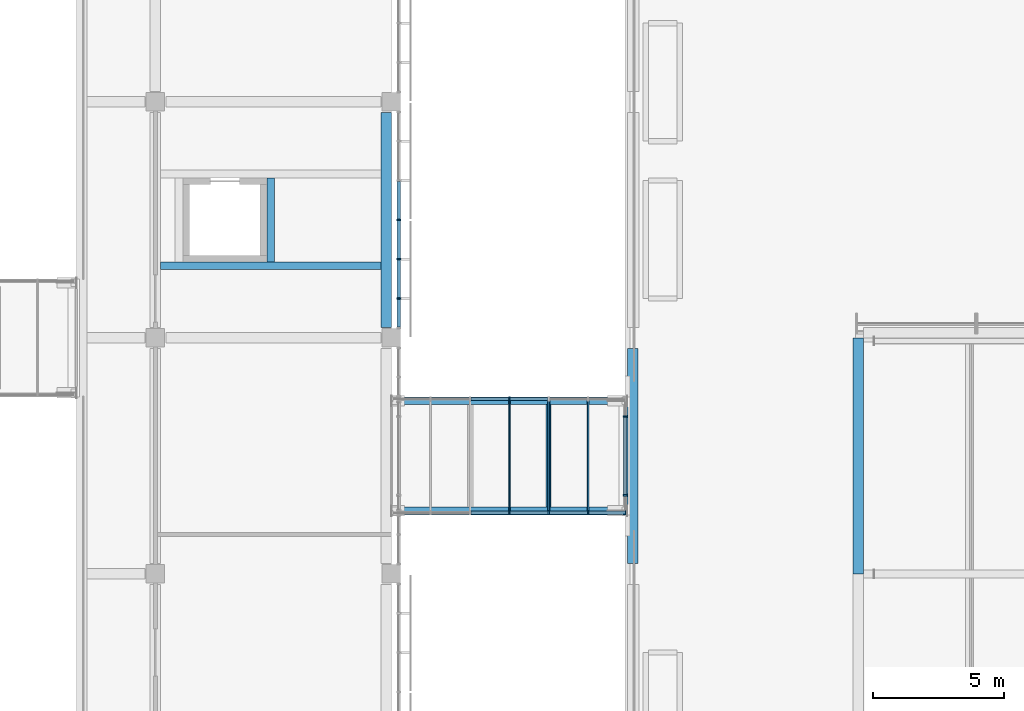
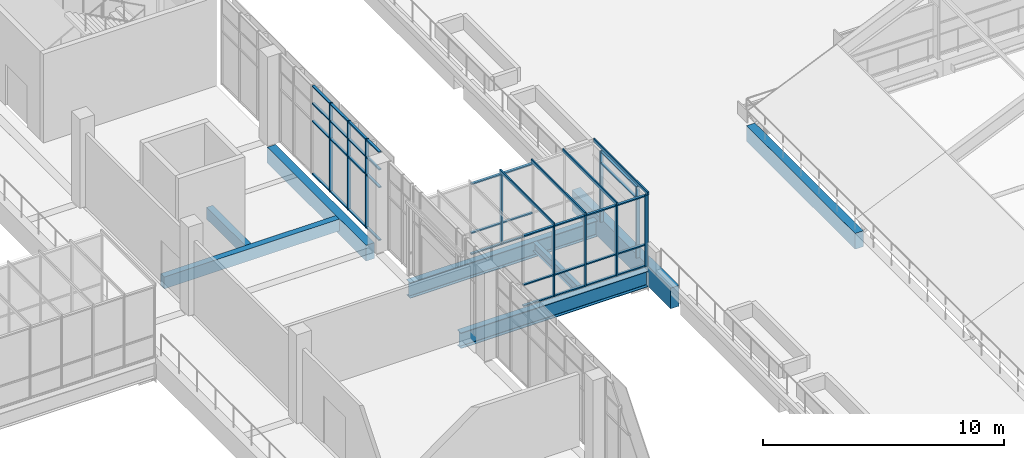
# One storey, part 26 of 106: 51 members, 8 beams, 5 elements without a shape of their own.
"""IFC4 building model written with IfcOpenShell, lengths in metres."""

import ifcopenshell
import ifcopenshell.guid

model = None  # the IFC model being written
_history = None  # IfcOwnerHistory: only IFC2X3 demands one
_inside = {}  # id of a spatial element -> (the spatial element, [elements in it])
_under = {}  # id of a project, library or spatial element -> (it, [spatial elements below it])
_declared = {}  # id of a project -> (the project, [libraries it declares])
_typed = {}  # id of a type object -> (the type object, [elements of that type])
_made_of = {}  # id of a material, layer set ... -> (it, [elements and type objects made of it])


def new_model(schema):
    """Start an empty IFC model of exactly this schema.

    Asked for "IFC4X3", IfcOpenShell would pick the latest addendum, in which some entities
    have other attributes; the version numbers below select the first issue.
    IFC2X3 requires an IfcOwnerHistory on every rooted entity: one is made here for all.
    """
    global model, _history
    if schema == "IFC4X3":
        model = ifcopenshell.file(schema_version=(4, 3, 0, 0))
    else:
        model = ifcopenshell.file(schema=schema)
    _inside.clear()
    _under.clear()
    _declared.clear()
    _typed.clear()
    _made_of.clear()
    _history = None
    if model.schema == "IFC2X3":
        org = make("IfcOrganization", Name="unknown")
        user = make(
            "IfcPersonAndOrganization",
            ThePerson=make("IfcPerson", FamilyName="unknown"),
            TheOrganization=org,
        )
        app = make(
            "IfcApplication",
            ApplicationDeveloper=org,
            Version="unknown",
            ApplicationFullName="unknown",
            ApplicationIdentifier="unknown",
        )
        _history = make(
            "IfcOwnerHistory",
            OwningUser=user,
            OwningApplication=app,
            ChangeAction="ADDED",
            CreationDate=0,
        )
    return model


def make(cls, **values):
    """One entity of the class cls with the attributes given. An attribute that is None is left unset."""
    return model.create_entity(
        cls, **{name: value for name, value in values.items() if value is not None}
    )


def rooted(cls, **values):
    """An entity with a GlobalId (a new one), such as an element, a storey or a relation."""
    return make(cls, GlobalId=ifcopenshell.guid.new(), OwnerHistory=_history, **values)


def si_unit(unit_type, name, prefix=None):
    """IfcSIUnit, for example si_unit("LENGTHUNIT", "METRE", prefix="MILLI")."""
    return make("IfcSIUnit", UnitType=unit_type, Prefix=prefix, Name=name)


def assignment(units):
    """IfcUnitAssignment: the units of a project."""
    return None if units is None else make("IfcUnitAssignment", Units=units)


def point(xyz):
    """IfcCartesianPoint."""
    return None if xyz is None else make("IfcCartesianPoint", Coordinates=xyz)


def direction(xyz):
    """IfcDirection."""
    return None if xyz is None else make("IfcDirection", DirectionRatios=xyz)


def frame(location, z_axis=None, x_axis=None):
    """IfcAxis2Placement3D, a coordinate frame: its origin and axes. An axis left out is left unset."""
    return make(
        "IfcAxis2Placement3D",
        Location=point(location),
        Axis=direction(z_axis),
        RefDirection=direction(x_axis),
    )


def frame_2d(location, x_axis=None):
    """IfcAxis2Placement2D, a coordinate frame in the plane: its origin and x axis."""
    return make(
        "IfcAxis2Placement2D", Location=point(location), RefDirection=direction(x_axis)
    )


def origin():
    """The frame at (0, 0, 0) with its axes left unset."""
    return frame((0.0, 0.0, 0.0))


def origin_2d():
    """The frame at (0, 0) in the plane with its x axis left unset."""
    return frame_2d((0.0, 0.0))


def place(relative_to, where):
    """IfcLocalPlacement: puts the frame where relative to a parent placement (None: the world)."""
    return make(
        "IfcLocalPlacement", PlacementRelTo=relative_to, RelativePlacement=where
    )


def context(
    kind, dimensions, precision=None, world=None, true_north=None, identifier=None
):
    """IfcGeometricRepresentationContext, for example the 3D "Model" context."""
    return make(
        "IfcGeometricRepresentationContext",
        ContextIdentifier=identifier,
        ContextType=kind,
        CoordinateSpaceDimension=dimensions,
        Precision=precision,
        WorldCoordinateSystem=world,
        TrueNorth=true_north,
    )


def subcontext(parent, identifier, kind, view, scale=None):
    """IfcGeometricRepresentationSubContext, for example "Body" below "Model"."""
    return make(
        "IfcGeometricRepresentationSubContext",
        ContextIdentifier=identifier,
        ContextType=kind,
        ParentContext=parent,
        TargetScale=scale,
        TargetView=view,
    )


def project(units=None, contexts=None):
    """IfcProject with its units and contexts."""
    return rooted(
        "IfcProject",
        Name="project",
        RepresentationContexts=contexts,
        UnitsInContext=assignment(units),
    )


def spatial(cls, under=None, at=None, **own):
    """A site, building, storey or space (cls), placed at a placement, below another one or the project."""
    s = rooted(cls, ObjectPlacement=at, **own)
    if under is not None:
        _under.setdefault(under.id(), (under, []))[1].append(s)
    return s


def profile(cls, at=None, kind="AREA", **sizes):
    """A parametric profile (cls). Its sizes go by their IFC names, for example OverallWidth=200.0."""
    return make(cls, ProfileType=kind, Position=at, **sizes)


def rectangle(**sizes):
    """IfcRectangleProfileDef."""
    return profile("IfcRectangleProfileDef", **sizes)


def i_section(**sizes):
    """IfcIShapeProfileDef."""
    return profile("IfcIShapeProfileDef", **sizes)


def extrude(swept, where, along, depth):
    """IfcExtrudedAreaSolid: the profile swept, set in the frame where, extruded along a direction by depth."""
    return make(
        "IfcExtrudedAreaSolid",
        SweptArea=swept,
        Position=where,
        ExtrudedDirection=direction(along),
        Depth=depth,
    )


def shape(context_of_items, identifier, shape_type, items):
    """IfcShapeRepresentation: the items that make up one representation, for example the "Body"."""
    return make(
        "IfcShapeRepresentation",
        ContextOfItems=context_of_items,
        RepresentationIdentifier=identifier,
        RepresentationType=shape_type,
        Items=items,
    )


def material(Name=None, Category=None):
    """IfcMaterial."""
    return make("IfcMaterial", Name=Name, Category=Category)


def layer(
    of_material, thickness, ventilated=None, Name=None, Category=None, Priority=None
):
    """IfcMaterialLayer: one layer of a wall or slab, of a material (None: an air gap)."""
    return make(
        "IfcMaterialLayer",
        Material=of_material,
        LayerThickness=thickness,
        IsVentilated=ventilated,
        Name=Name,
        Category=Category,
        Priority=Priority,
    )


def layer_set(layers, Name=None):
    """IfcMaterialLayerSet."""
    return make("IfcMaterialLayerSet", MaterialLayers=layers, LayerSetName=Name)


def material_profile(
    of_material, cross_section, Name=None, Category=None, Priority=None
):
    """IfcMaterialProfile: a cross section and its material."""
    return make(
        "IfcMaterialProfile",
        Name=Name,
        Material=of_material,
        Profile=cross_section,
        Priority=Priority,
        Category=Category,
    )


def profile_set(profiles, Name=None, composite=None):
    """IfcMaterialProfileSet."""
    return make(
        "IfcMaterialProfileSet",
        Name=Name,
        MaterialProfiles=profiles,
        CompositeProfile=composite,
    )


def made_of(thing, what):
    """Note that an element or type object is made of a material, layer set ...; save() writes the relation."""
    if what is not None:
        _made_of.setdefault(what.id(), (what, []))[1].append(thing)
    return thing


def type_object(cls, material=None, **own):
    """A type object (cls), such as IfcWallType, which elements share."""
    return made_of(rooted(cls, **own), material)


def element(
    cls,
    number,
    at=None,
    inside=None,
    cuts=None,
    type_object=None,
    material=None,
    context=None,
    identifier="Body",
    shape_type=None,
    held_by="IfcProductDefinitionShape",
    body=None,
    shapes=None,
    **own,
):
    """One element of the class cls, such as IfcWall. Its Tag is "e" and its number.

    at: its placement. inside: the storey or other place that contains it. cuts: it is an
    opening in that element (IfcRelVoidsElement). A single representation is given by context,
    identifier, shape_type and body (its items); several are given by shapes. held_by: the class
    of the entity that holds the representations. save() writes the other relations.
    """
    e = rooted(cls, Tag="e%d" % number, ObjectPlacement=at, **own)
    if body is not None:
        shapes = [shape(context, identifier, shape_type, body)]
    if shapes is not None:
        e.Representation = make(held_by, Representations=shapes)
    if inside is not None:
        _inside.setdefault(inside.id(), (inside, []))[1].append(e)
    if cuts is not None:
        rooted(
            "IfcRelVoidsElement", RelatingBuildingElement=cuts, RelatedOpeningElement=e
        )
    if type_object is not None:
        _typed.setdefault(type_object.id(), (type_object, []))[1].append(e)
    return made_of(e, material)


def aggregate(whole, parts):
    """IfcRelAggregates: a whole, such as a stair, and the parts it consists of."""
    return rooted("IfcRelAggregates", RelatingObject=whole, RelatedObjects=parts)


def save(model, path):
    """Write the relations noted so far, then the file.

    IfcRelAggregates (storeys below a building ...), IfcRelContainedInSpatialStructure (elements
    in a storey), IfcRelDefinesByType, IfcRelAssociatesMaterial and IfcRelDeclares: one each for
    every whole, place, type object, material and project.
    """
    for whole, parts in _under.values():
        aggregate(whole, parts)
    for where, things in _inside.values():
        rooted(
            "IfcRelContainedInSpatialStructure",
            RelatedElements=things,
            RelatingStructure=where,
        )
    for kind, things in _typed.values():
        rooted("IfcRelDefinesByType", RelatedObjects=things, RelatingType=kind)
    for what, things in _made_of.values():
        rooted("IfcRelAssociatesMaterial", RelatedObjects=things, RelatingMaterial=what)
    for by, libraries in _declared.values():
        rooted("IfcRelDeclares", RelatingContext=by, RelatedDefinitions=libraries)
    model.write(path)


model = new_model("IFC4")

# Units and contexts
model_context = context("Model", 3, precision=1e-05, world=origin(), true_north=direction((0.0, 1.0)))
body_context = subcontext(model_context, "Body", "Model", "MODEL_VIEW")
ifc_project = project(units=[si_unit("LENGTHUNIT", "METRE"), si_unit("AREAUNIT", "SQUARE_METRE"), si_unit("VOLUMEUNIT", "CUBIC_METRE"), si_unit("PLANEANGLEUNIT", "RADIAN"), si_unit("MASSUNIT", "GRAM", prefix="KILO")], contexts=[model_context])

# Site, building, storey
site_placement = place(None, origin())
site = spatial("IfcSite", under=ifc_project, at=site_placement, CompositionType="ELEMENT")
building_placement = place(site_placement, origin())
building = spatial("IfcBuilding", under=site, at=building_placement, Name="Guidao Yard Department Store", CompositionType="ELEMENT")
storey_placement = place(building_placement, frame((0.0, 0.0, 10.5)))
storey = spatial("IfcBuildingStorey", under=building, at=storey_placement, Name="L02", CompositionType="ELEMENT", Elevation=10.5)

# Beams
ifc_material_1 = material(Name="Concrete C40", Category="concrete")
ifc_material_profile_1 = material_profile(ifc_material_1, rectangle(XDim=0.39990234375, YDim=1.050048828125, at=origin_2d()), Name="Bridge landing beam 400 x 1050 C40")
ifc_profile_set_1 = profile_set([ifc_material_profile_1], Name="Concrete C40")
beam_type_1 = type_object("IfcBeamType", Name="Bridge landing beam 400 x 1050 C40", PredefinedType="BEAM", material=ifc_profile_set_1)
beam_1_placement = place(storey_placement, frame((117.199951171875, 81.39990234375, -0.52490234375), z_axis=(0.0, 1.0, 0.0), x_axis=(-1.0, 0.0, 0.0)))
element("IfcBeam", 1, at=beam_1_placement, inside=storey, type_object=beam_type_1, Name="Beam LB12", PredefinedType="BEAM", context=body_context, shape_type="SweptSolid", body=[
    extrude(rectangle(XDim=0.39990234375, YDim=1.050048828125, at=origin_2d()), origin(), (0.0, 0.0, 1.0), 8.2001953125),
])
ifc_material_2 = material(Name="Steel Q355B", Category="steel")
ifc_material_profile_2 = material_profile(ifc_material_2, i_section(OverallWidth=0.199951171875, OverallDepth=0.449951171875, WebThickness=0.009033203125, FlangeThickness=0.013916015625, FilletRadius=0.012939453125, at=origin_2d()), Name="HN 450x200x9x14")
ifc_profile_set_2 = profile_set([ifc_material_profile_2], Name="Steel Q355B")
beam_type_2 = type_object("IfcBeamType", Name="HN 450x200x9x14", PredefinedType="BEAM", material=ifc_profile_set_2)
beam_2_placement = place(storey_placement, frame((113.9951171875, 83.550048828125, -0.47509765625), z_axis=(0.0, 1.0, 0.0), x_axis=(-1.0, 0.0, 0.0)))
element("IfcBeam", 2, at=beam_2_placement, inside=storey, type_object=beam_type_2, Name="Bridge cross beam BR08-2", PredefinedType="BEAM", context=body_context, shape_type="SweptSolid", body=[
    extrude(i_section(OverallWidth=0.199951171875, OverallDepth=0.449951171875, WebThickness=0.009033203125, FlangeThickness=0.013916015625, FilletRadius=0.012939453125, at=origin_2d()), origin(), (0.0, 0.0, 1.0), 3.89990234375),
])
ifc_material_3 = material(Name="Steel Q355B", Category="steel")
ifc_material_profile_3 = material_profile(ifc_material_3, i_section(OverallWidth=0.300048828125, OverallDepth=0.800048828125, WebThickness=0.013916015625, FlangeThickness=0.02587890625, FilletRadius=0.01806640625, at=origin_2d()), Name="HN 800x300x14x26")
ifc_profile_set_3 = profile_set([ifc_material_profile_3], Name="Steel Q355B")
beam_type_3 = type_object("IfcBeamType", Name="HN 800x300x14x26", PredefinedType="BEAM", material=ifc_profile_set_3)
for number, where, z_axis, x_axis, name in (
    (3, (108.014892578125, 83.39990234375, -0.64990234375), (1.0, 0.0, 0.0), (0.0, 1.0, 0.0), "Bridge girder BR08S"),
    (4, (108.014892578125, 87.60009765625, -0.64990234375), (1.0, 0.0, 0.0), (0.0, 1.0, 0.0), "Bridge girder BR08N"),
):
    element("IfcBeam", number, at=place(storey_placement, frame(where, z_axis=z_axis, x_axis=x_axis)), inside=storey, type_object=beam_type_3, Name=name, PredefinedType="BEAM", context=body_context, shape_type="SweptSolid", body=[
        extrude(i_section(OverallWidth=0.300048828125, OverallDepth=0.800048828125, WebThickness=0.013916015625, FlangeThickness=0.02587890625, FilletRadius=0.01806640625, at=origin_2d()), origin(), (0.0, 0.0, 1.0), 8.97021484375),
    ])

# Curtain wall, members
ifc_material_4 = material(Name="Aluminium and glass", Category="aluminium")
ifc_layer_1 = layer(ifc_material_4, 0.159912109375)
ifc_layer_set_1 = layer_set([ifc_layer_1], Name="Shopfront curtain wall CW1 1500 module")
curtain_wall_type_1 = type_object("IfcCurtainWallType", Name="Shopfront curtain wall CW1 1500 module", PredefinedType="NOTDEFINED", material=ifc_layer_set_1)
curtain_wall_1_placement = place(storey_placement, origin())
curtain_wall_1 = element("IfcCurtainWall", 5, at=curtain_wall_1_placement, inside=storey, type_object=curtain_wall_type_1, Name="Arcade shop front", PredefinedType="NOTDEFINED")
ifc_material_5 = material(Name="Aluminium 6063-T5", Category="aluminium")
ifc_material_profile_4 = material_profile(ifc_material_5, rectangle(XDim=0.06005859375, YDim=0.159912109375, at=origin_2d()), Name="Mullion M1 60 x 160 aluminium pressure plate")
ifc_profile_set_4 = profile_set([ifc_material_profile_4], Name="Aluminium 6063-T5")
member_type_1 = type_object("IfcMemberType", Name="Mullion M1 60 x 160 aluminium pressure plate", PredefinedType="MULLION", material=ifc_profile_set_4)
member_1_placement = place(storey_placement, frame((108.280029296875, 91.5, 0.0), z_axis=(0.0, 0.0, 1.0), x_axis=(0.0, -1.0, 0.0)))
member_1 = element("IfcMember", 6, at=member_1_placement, type_object=member_type_1, Name="CW-AS-L02-21 mullion 2", PredefinedType="MULLION", context=body_context, shape_type="SweptSolid", body=[
    extrude(rectangle(XDim=0.06005859375, YDim=0.159912109375, at=origin_2d()), origin(), (0.0, 0.0, 1.0), 4.5),
])
member_2_placement = place(storey_placement, frame((108.280029296875, 93.0, 0.0), z_axis=(0.0, 0.0, 1.0), x_axis=(0.0, -1.0, 0.0)))
member_2 = element("IfcMember", 7, at=member_2_placement, type_object=member_type_1, Name="CW-AS-L02-21 mullion 3", PredefinedType="MULLION", context=body_context, shape_type="SweptSolid", body=[
    extrude(rectangle(XDim=0.06005859375, YDim=0.159912109375, at=origin_2d()), origin(), (0.0, 0.0, 1.0), 4.5),
])
member_3_placement = place(storey_placement, frame((108.280029296875, 94.5, 0.0), z_axis=(0.0, 0.0, 1.0), x_axis=(0.0, -1.0, 0.0)))
member_3 = element("IfcMember", 8, at=member_3_placement, type_object=member_type_1, Name="CW-AS-L02-21 mullion 4", PredefinedType="MULLION", context=body_context, shape_type="SweptSolid", body=[
    extrude(rectangle(XDim=0.06005859375, YDim=0.159912109375, at=origin_2d()), origin(), (0.0, 0.0, 1.0), 4.5),
])

ifc_material_6 = material(Name="Aluminium and glass", Category="aluminium")
ifc_layer_2 = layer(ifc_material_6, 0.159912109375)
ifc_layer_set_2 = layer_set([ifc_layer_2], Name="Bridge glazing CW5 1500 module")
curtain_wall_type_2 = type_object("IfcCurtainWallType", Name="Bridge glazing CW5 1500 module", PredefinedType="NOTDEFINED", material=ifc_layer_set_2)
curtain_wall_2_placement = place(storey_placement, origin())
curtain_wall_2 = element("IfcCurtainWall", 9, at=curtain_wall_2_placement, inside=storey, type_object=curtain_wall_type_2, Name="Bridge glazing BR08 S", PredefinedType="NOTDEFINED")
member_4_placement = place(storey_placement, frame((112.5, 83.330078125, 0.0), z_axis=(0.0, 0.0, 1.0), x_axis=(-1.0, 0.0, 0.0)))
member_4 = element("IfcMember", 10, at=member_4_placement, type_object=member_type_1, Name="CW-S-L02-05 mullion 4", PredefinedType="MULLION", context=body_context, shape_type="SweptSolid", body=[
    extrude(rectangle(XDim=0.06005859375, YDim=0.159912109375, at=origin_2d()), origin(), (0.0, 0.0, 1.0), 3.60009765625),
])
member_5_placement = place(storey_placement, frame((114.0, 83.330078125, 0.0), z_axis=(0.0, 0.0, 1.0), x_axis=(-1.0, 0.0, 0.0)))
member_5 = element("IfcMember", 11, at=member_5_placement, type_object=member_type_1, Name="CW-S-L02-05 mullion 5", PredefinedType="MULLION", context=body_context, shape_type="SweptSolid", body=[
    extrude(rectangle(XDim=0.06005859375, YDim=0.159912109375, at=origin_2d()), origin(), (0.0, 0.0, 1.0), 3.60009765625),
])
member_6_placement = place(storey_placement, frame((115.5, 83.330078125, 0.0), z_axis=(0.0, 0.0, 1.0), x_axis=(-1.0, 0.0, 0.0)))
member_6 = element("IfcMember", 12, at=member_6_placement, type_object=member_type_1, Name="CW-S-L02-05 mullion 6", PredefinedType="MULLION", context=body_context, shape_type="SweptSolid", body=[
    extrude(rectangle(XDim=0.06005859375, YDim=0.159912109375, at=origin_2d()), origin(), (0.0, 0.0, 1.0), 3.60009765625),
])
member_7_placement = place(storey_placement, frame((116.955078125, 83.330078125, 0.0), z_axis=(0.0, 0.0, 1.0), x_axis=(-1.0, 0.0, 0.0)))
member_7 = element("IfcMember", 13, at=member_7_placement, type_object=member_type_1, Name="CW-S-L02-05 mullion 7", PredefinedType="MULLION", context=body_context, shape_type="SweptSolid", body=[
    extrude(rectangle(XDim=0.06005859375, YDim=0.159912109375, at=origin_2d()), origin(), (0.0, 0.0, 1.0), 3.60009765625),
])

# Curtain wall, member
curtain_wall_3_placement = place(storey_placement, origin())
curtain_wall_3 = element("IfcCurtainWall", 14, at=curtain_wall_3_placement, inside=storey, type_object=curtain_wall_type_2, Name="Bridge glazing BR08 N", PredefinedType="NOTDEFINED")
member_8_placement = place(storey_placement, frame((112.5, 87.669921875, 0.0), z_axis=(0.0, 0.0, 1.0), x_axis=(1.0, 0.0, 0.0)))
member_8 = element("IfcMember", 15, at=member_8_placement, type_object=member_type_1, Name="CW-N-L02-06 mullion 4", PredefinedType="MULLION", context=body_context, shape_type="SweptSolid", body=[
    extrude(rectangle(XDim=0.06005859375, YDim=0.159912109375, at=origin_2d()), origin(), (0.0, 0.0, 1.0), 3.60009765625),
])

# Curtain wall, members
curtain_wall_4_placement = place(storey_placement, origin())
curtain_wall_4 = element("IfcCurtainWall", 16, at=curtain_wall_4_placement, inside=storey, type_object=curtain_wall_type_2, Name="Bridge end screen BR08", PredefinedType="NOTDEFINED")
member_9_placement = place(storey_placement, frame((116.919921875, 83.280029296875, 0.0), z_axis=(0.0, 0.0, 1.0), x_axis=(0.0, -1.0, 0.0)))
member_9 = element("IfcMember", 17, at=member_9_placement, type_object=member_type_1, Name="CW-E-L02-07 mullion 1", PredefinedType="MULLION", context=body_context, shape_type="SweptSolid", body=[
    extrude(rectangle(XDim=0.06005859375, YDim=0.159912109375, at=origin_2d()), origin(), (0.0, 0.0, 1.0), 3.60009765625),
])
member_10_placement = place(storey_placement, frame((116.919921875, 84.0, 0.0), z_axis=(0.0, 0.0, 1.0), x_axis=(0.0, -1.0, 0.0)))
member_10 = element("IfcMember", 18, at=member_10_placement, type_object=member_type_1, Name="CW-E-L02-07 mullion 2", PredefinedType="MULLION", context=body_context, shape_type="SweptSolid", body=[
    extrude(rectangle(XDim=0.06005859375, YDim=0.159912109375, at=origin_2d()), origin(), (0.0, 0.0, 1.0), 3.60009765625),
])
member_11_placement = place(storey_placement, frame((116.919921875, 87.0, 0.0), z_axis=(0.0, 0.0, 1.0), x_axis=(0.0, -1.0, 0.0)))
member_11 = element("IfcMember", 19, at=member_11_placement, type_object=member_type_1, Name="CW-E-L02-07 mullion 3", PredefinedType="MULLION", context=body_context, shape_type="SweptSolid", body=[
    extrude(rectangle(XDim=0.06005859375, YDim=0.159912109375, at=origin_2d()), origin(), (0.0, 0.0, 1.0), 3.60009765625),
])

# Beams
ifc_material_7 = material(Name="Concrete C40", Category="concrete")
ifc_material_profile_5 = material_profile(ifc_material_7, rectangle(XDim=0.300048828125, YDim=0.60009765625, at=origin_2d()), Name="Opening beam 300 x 600 C40")
ifc_profile_set_5 = profile_set([ifc_material_profile_5], Name="Concrete C40")
beam_type_4 = type_object("IfcBeamType", Name="Opening beam 300 x 600 C40", PredefinedType="BEAM", material=ifc_profile_set_5)
beam_3_placement = place(storey_placement, frame((99.199951171875, 92.75, -0.300048828125), z_axis=(1.0, 0.0, 0.0), x_axis=(0.0, 1.0, 0.0)))
element("IfcBeam", 20, at=beam_3_placement, inside=storey, type_object=beam_type_4, Name="Beam OB33", PredefinedType="BEAM", context=body_context, shape_type="SweptSolid", body=[
    extrude(rectangle(XDim=0.300048828125, YDim=0.60009765625, at=origin_2d()), origin(), (0.0, 0.0, 1.0), 8.400146484375),
])
beam_4_placement = place(storey_placement, frame((103.39990234375, 92.89990234375, -0.300048828125), z_axis=(0.0, 1.0, 0.0), x_axis=(-1.0, 0.0, 0.0)))
element("IfcBeam", 21, at=beam_4_placement, inside=storey, type_object=beam_type_4, Name="Beam OB36", PredefinedType="BEAM", context=body_context, shape_type="SweptSolid", body=[
    extrude(rectangle(XDim=0.300048828125, YDim=0.60009765625, at=origin_2d()), origin(), (0.0, 0.0, 1.0), 3.2001953125),
])

# Curtain wall, members
curtain_wall_5_placement = place(storey_placement, origin())
curtain_wall_5 = element("IfcCurtainWall", 22, at=curtain_wall_5_placement, inside=storey, type_object=curtain_wall_type_2, Name="Bridge roof glazing BR08", PredefinedType="NOTDEFINED")
ifc_material_8 = material(Name="Aluminium 6063-T5", Category="aluminium")
ifc_material_profile_6 = material_profile(ifc_material_8, rectangle(XDim=0.06005859375, YDim=0.159912109375, at=origin_2d()), Name="Roof bar RB1 60 x 160 aluminium")
ifc_profile_set_6 = profile_set([ifc_material_profile_6], Name="Aluminium 6063-T5")
member_type_2 = type_object("IfcMemberType", Name="Roof bar RB1 60 x 160 aluminium", PredefinedType="USERDEFINED", material=ifc_profile_set_6)
member_12_placement = place(storey_placement, frame((112.5, 83.25, 3.679931640625), z_axis=(0.0, 1.0, 0.0), x_axis=(-1.0, 0.0, 0.0)))
member_12 = element("IfcMember", 23, at=member_12_placement, type_object=member_type_2, Name="Bridge roof bar BR08", ObjectType="TRANSOM", PredefinedType="USERDEFINED", context=body_context, shape_type="SweptSolid", body=[
    extrude(rectangle(XDim=0.06005859375, YDim=0.159912109375, at=origin_2d()), origin(), (0.0, 0.0, 1.0), 4.5),
])
member_13_placement = place(storey_placement, frame((114.0, 83.25, 3.679931640625), z_axis=(0.0, 1.0, 0.0), x_axis=(-1.0, 0.0, 0.0)))
member_13 = element("IfcMember", 24, at=member_13_placement, type_object=member_type_2, Name="Bridge roof bar BR08", ObjectType="TRANSOM", PredefinedType="USERDEFINED", context=body_context, shape_type="SweptSolid", body=[
    extrude(rectangle(XDim=0.06005859375, YDim=0.159912109375, at=origin_2d()), origin(), (0.0, 0.0, 1.0), 4.5),
])
member_14_placement = place(storey_placement, frame((115.5, 83.25, 3.679931640625), z_axis=(0.0, 1.0, 0.0), x_axis=(-1.0, 0.0, 0.0)))
member_14 = element("IfcMember", 25, at=member_14_placement, type_object=member_type_2, Name="Bridge roof bar BR08", ObjectType="TRANSOM", PredefinedType="USERDEFINED", context=body_context, shape_type="SweptSolid", body=[
    extrude(rectangle(XDim=0.06005859375, YDim=0.159912109375, at=origin_2d()), origin(), (0.0, 0.0, 1.0), 4.5),
])
member_15_placement = place(storey_placement, frame((116.985107421875, 83.25, 3.679931640625), z_axis=(0.0, 1.0, 0.0), x_axis=(-1.0, 0.0, 0.0)))
member_15 = element("IfcMember", 26, at=member_15_placement, type_object=member_type_2, Name="Bridge roof bar BR08", ObjectType="TRANSOM", PredefinedType="USERDEFINED", context=body_context, shape_type="SweptSolid", body=[
    extrude(rectangle(XDim=0.06005859375, YDim=0.159912109375, at=origin_2d()), origin(), (0.0, 0.0, 1.0), 4.5),
])
aggregate(curtain_wall_5, [member_12, member_13, member_14, member_15])

# Beam
ifc_material_9 = material(Name="Concrete C40", Category="concrete")
ifc_material_profile_7 = material_profile(ifc_material_9, rectangle(XDim=0.39990234375, YDim=0.800048828125, at=origin_2d()), Name="Spandrel beam 400 x 800 C40")
ifc_profile_set_7 = profile_set([ifc_material_profile_7], Name="Concrete C40")
beam_type_5 = type_object("IfcBeamType", Name="Spandrel beam 400 x 800 C40", PredefinedType="SPANDREL", material=ifc_profile_set_7)
beam_5_placement = place(storey_placement, frame((107.800048828125, 90.39990234375, -0.39990234375), z_axis=(0.0, 1.0, 0.0), x_axis=(-1.0, 0.0, 0.0)))
element("IfcBeam", 27, at=beam_5_placement, inside=storey, type_object=beam_type_5, Name="Beam EB48", PredefinedType="SPANDREL", context=body_context, shape_type="SweptSolid", body=[
    extrude(rectangle(XDim=0.39990234375, YDim=0.800048828125, at=origin_2d()), origin(), (0.0, 0.0, 1.0), 8.2001953125),
])

# Member
ifc_material_10 = material(Name="Aluminium 6063-T5", Category="aluminium")
ifc_material_profile_8 = material_profile(ifc_material_10, rectangle(XDim=0.1201171875, YDim=0.06005859375, at=origin_2d()), Name="Transom T1 60 x 120 aluminium pressure plate")
ifc_profile_set_8 = profile_set([ifc_material_profile_8], Name="Aluminium 6063-T5")
member_type_3 = type_object("IfcMemberType", Name="Transom T1 60 x 120 aluminium pressure plate", PredefinedType="USERDEFINED", material=ifc_profile_set_8)
member_16_placement = place(storey_placement, frame((108.280029296875, 91.469970703125, 0.030029296875), z_axis=(0.0, -1.0, 0.0), x_axis=(1.0, 0.0, 0.0)))
member_16 = element("IfcMember", 28, at=member_16_placement, type_object=member_type_3, Name="CW-AS-L02-21 transom 1.1", ObjectType="TRANSOM", PredefinedType="USERDEFINED", context=body_context, shape_type="SweptSolid", body=[
    extrude(rectangle(XDim=0.1201171875, YDim=0.06005859375, at=origin_2d()), origin(), (0.0, 0.0, 1.0), 1.06005859375),
])

member_17_placement = place(storey_placement, frame((108.280029296875, 91.469970703125, 2.699951171875), z_axis=(0.0, -1.0, 0.0), x_axis=(1.0, 0.0, 0.0)))
member_17 = element("IfcMember", 29, at=member_17_placement, type_object=member_type_3, Name="CW-AS-L02-21 transom 1.2", ObjectType="TRANSOM", PredefinedType="USERDEFINED", context=body_context, shape_type="SweptSolid", body=[
    extrude(rectangle(XDim=0.1201171875, YDim=0.06005859375, at=origin_2d()), origin(), (0.0, 0.0, 1.0), 1.06005859375),
])

member_18_placement = place(storey_placement, frame((108.280029296875, 91.469970703125, 3.60009765625), z_axis=(0.0, -1.0, 0.0), x_axis=(1.0, 0.0, 0.0)))
member_18 = element("IfcMember", 30, at=member_18_placement, type_object=member_type_3, Name="CW-AS-L02-21 transom 1.3", ObjectType="TRANSOM", PredefinedType="USERDEFINED", context=body_context, shape_type="SweptSolid", body=[
    extrude(rectangle(XDim=0.1201171875, YDim=0.06005859375, at=origin_2d()), origin(), (0.0, 0.0, 1.0), 1.06005859375),
])

member_19_placement = place(storey_placement, frame((108.280029296875, 91.469970703125, 4.469970703125), z_axis=(0.0, -1.0, 0.0), x_axis=(1.0, 0.0, 0.0)))
member_19 = element("IfcMember", 31, at=member_19_placement, type_object=member_type_3, Name="CW-AS-L02-21 transom 1.4", ObjectType="TRANSOM", PredefinedType="USERDEFINED", context=body_context, shape_type="SweptSolid", body=[
    extrude(rectangle(XDim=0.1201171875, YDim=0.06005859375, at=origin_2d()), origin(), (0.0, 0.0, 1.0), 1.06005859375),
])

member_20_placement = place(storey_placement, frame((108.280029296875, 92.969970703125, 0.030029296875), z_axis=(0.0, -1.0, 0.0), x_axis=(1.0, 0.0, 0.0)))
member_20 = element("IfcMember", 32, at=member_20_placement, type_object=member_type_3, Name="CW-AS-L02-21 transom 2.1", ObjectType="TRANSOM", PredefinedType="USERDEFINED", context=body_context, shape_type="SweptSolid", body=[
    extrude(rectangle(XDim=0.1201171875, YDim=0.06005859375, at=origin_2d()), origin(), (0.0, 0.0, 1.0), 1.43994140625),
])

member_21_placement = place(storey_placement, frame((108.280029296875, 92.969970703125, 2.699951171875), z_axis=(0.0, -1.0, 0.0), x_axis=(1.0, 0.0, 0.0)))
member_21 = element("IfcMember", 33, at=member_21_placement, type_object=member_type_3, Name="CW-AS-L02-21 transom 2.2", ObjectType="TRANSOM", PredefinedType="USERDEFINED", context=body_context, shape_type="SweptSolid", body=[
    extrude(rectangle(XDim=0.1201171875, YDim=0.06005859375, at=origin_2d()), origin(), (0.0, 0.0, 1.0), 1.43994140625),
])

member_22_placement = place(storey_placement, frame((108.280029296875, 92.969970703125, 3.60009765625), z_axis=(0.0, -1.0, 0.0), x_axis=(1.0, 0.0, 0.0)))
member_22 = element("IfcMember", 34, at=member_22_placement, type_object=member_type_3, Name="CW-AS-L02-21 transom 2.3", ObjectType="TRANSOM", PredefinedType="USERDEFINED", context=body_context, shape_type="SweptSolid", body=[
    extrude(rectangle(XDim=0.1201171875, YDim=0.06005859375, at=origin_2d()), origin(), (0.0, 0.0, 1.0), 1.43994140625),
])

member_23_placement = place(storey_placement, frame((108.280029296875, 92.969970703125, 4.469970703125), z_axis=(0.0, -1.0, 0.0), x_axis=(1.0, 0.0, 0.0)))
member_23 = element("IfcMember", 35, at=member_23_placement, type_object=member_type_3, Name="CW-AS-L02-21 transom 2.4", ObjectType="TRANSOM", PredefinedType="USERDEFINED", context=body_context, shape_type="SweptSolid", body=[
    extrude(rectangle(XDim=0.1201171875, YDim=0.06005859375, at=origin_2d()), origin(), (0.0, 0.0, 1.0), 1.43994140625),
])

member_24_placement = place(storey_placement, frame((108.280029296875, 94.469970703125, 0.030029296875), z_axis=(0.0, -1.0, 0.0), x_axis=(1.0, 0.0, 0.0)))
member_24 = element("IfcMember", 36, at=member_24_placement, type_object=member_type_3, Name="CW-AS-L02-21 transom 3.1", ObjectType="TRANSOM", PredefinedType="USERDEFINED", context=body_context, shape_type="SweptSolid", body=[
    extrude(rectangle(XDim=0.1201171875, YDim=0.06005859375, at=origin_2d()), origin(), (0.0, 0.0, 1.0), 1.43994140625),
])

member_25_placement = place(storey_placement, frame((108.280029296875, 94.469970703125, 2.699951171875), z_axis=(0.0, -1.0, 0.0), x_axis=(1.0, 0.0, 0.0)))
member_25 = element("IfcMember", 37, at=member_25_placement, type_object=member_type_3, Name="CW-AS-L02-21 transom 3.2", ObjectType="TRANSOM", PredefinedType="USERDEFINED", context=body_context, shape_type="SweptSolid", body=[
    extrude(rectangle(XDim=0.1201171875, YDim=0.06005859375, at=origin_2d()), origin(), (0.0, 0.0, 1.0), 1.43994140625),
])

member_26_placement = place(storey_placement, frame((108.280029296875, 94.469970703125, 3.60009765625), z_axis=(0.0, -1.0, 0.0), x_axis=(1.0, 0.0, 0.0)))
member_26 = element("IfcMember", 38, at=member_26_placement, type_object=member_type_3, Name="CW-AS-L02-21 transom 3.3", ObjectType="TRANSOM", PredefinedType="USERDEFINED", context=body_context, shape_type="SweptSolid", body=[
    extrude(rectangle(XDim=0.1201171875, YDim=0.06005859375, at=origin_2d()), origin(), (0.0, 0.0, 1.0), 1.43994140625),
])

member_27_placement = place(storey_placement, frame((108.280029296875, 94.469970703125, 4.469970703125), z_axis=(0.0, -1.0, 0.0), x_axis=(1.0, 0.0, 0.0)))
member_27 = element("IfcMember", 39, at=member_27_placement, type_object=member_type_3, Name="CW-AS-L02-21 transom 3.4", ObjectType="TRANSOM", PredefinedType="USERDEFINED", context=body_context, shape_type="SweptSolid", body=[
    extrude(rectangle(XDim=0.1201171875, YDim=0.06005859375, at=origin_2d()), origin(), (0.0, 0.0, 1.0), 1.43994140625),
])

member_28_placement = place(storey_placement, frame((108.280029296875, 95.969970703125, 0.030029296875), z_axis=(0.0, -1.0, 0.0), x_axis=(1.0, 0.0, 0.0)))
member_28 = element("IfcMember", 40, at=member_28_placement, type_object=member_type_3, Name="CW-AS-L02-21 transom 4.1", ObjectType="TRANSOM", PredefinedType="USERDEFINED", context=body_context, shape_type="SweptSolid", body=[
    extrude(rectangle(XDim=0.1201171875, YDim=0.06005859375, at=origin_2d()), origin(), (0.0, 0.0, 1.0), 1.43994140625),
])

member_29_placement = place(storey_placement, frame((108.280029296875, 95.969970703125, 2.699951171875), z_axis=(0.0, -1.0, 0.0), x_axis=(1.0, 0.0, 0.0)))
member_29 = element("IfcMember", 41, at=member_29_placement, type_object=member_type_3, Name="CW-AS-L02-21 transom 4.2", ObjectType="TRANSOM", PredefinedType="USERDEFINED", context=body_context, shape_type="SweptSolid", body=[
    extrude(rectangle(XDim=0.1201171875, YDim=0.06005859375, at=origin_2d()), origin(), (0.0, 0.0, 1.0), 1.43994140625),
])

member_30_placement = place(storey_placement, frame((108.280029296875, 95.969970703125, 3.60009765625), z_axis=(0.0, -1.0, 0.0), x_axis=(1.0, 0.0, 0.0)))
member_30 = element("IfcMember", 42, at=member_30_placement, type_object=member_type_3, Name="CW-AS-L02-21 transom 4.3", ObjectType="TRANSOM", PredefinedType="USERDEFINED", context=body_context, shape_type="SweptSolid", body=[
    extrude(rectangle(XDim=0.1201171875, YDim=0.06005859375, at=origin_2d()), origin(), (0.0, 0.0, 1.0), 1.43994140625),
])

member_31_placement = place(storey_placement, frame((108.280029296875, 95.969970703125, 4.469970703125), z_axis=(0.0, -1.0, 0.0), x_axis=(1.0, 0.0, 0.0)))
member_31 = element("IfcMember", 43, at=member_31_placement, type_object=member_type_3, Name="CW-AS-L02-21 transom 4.4", ObjectType="TRANSOM", PredefinedType="USERDEFINED", context=body_context, shape_type="SweptSolid", body=[
    extrude(rectangle(XDim=0.1201171875, YDim=0.06005859375, at=origin_2d()), origin(), (0.0, 0.0, 1.0), 1.43994140625),
])

aggregate(curtain_wall_1, [member_1, member_2, member_3, member_16, member_17, member_18, member_19, member_20, member_21, member_22, member_23, member_24, member_25, member_26, member_27, member_28, member_29, member_30, member_31])

member_32_placement = place(storey_placement, frame((112.469970703125, 83.330078125, 0.030029296875), z_axis=(-1.0, 0.0, 0.0), x_axis=(0.0, -1.0, 0.0)))
member_32 = element("IfcMember", 44, at=member_32_placement, type_object=member_type_3, Name="CW-S-L02-05 transom 3.1", ObjectType="TRANSOM", PredefinedType="USERDEFINED", context=body_context, shape_type="SweptSolid", body=[
    extrude(rectangle(XDim=0.1201171875, YDim=0.06005859375, at=origin_2d()), origin(), (0.0, 0.0, 1.0), 1.43994140625),
])

member_33_placement = place(storey_placement, frame((112.469970703125, 83.330078125, 1.10009765625), z_axis=(-1.0, 0.0, 0.0), x_axis=(0.0, -1.0, 0.0)))
member_33 = element("IfcMember", 45, at=member_33_placement, type_object=member_type_3, Name="CW-S-L02-05 transom 3.2", ObjectType="TRANSOM", PredefinedType="USERDEFINED", context=body_context, shape_type="SweptSolid", body=[
    extrude(rectangle(XDim=0.1201171875, YDim=0.06005859375, at=origin_2d()), origin(), (0.0, 0.0, 1.0), 1.43994140625),
])

member_34_placement = place(storey_placement, frame((112.469970703125, 83.330078125, 3.570068359375), z_axis=(-1.0, 0.0, 0.0), x_axis=(0.0, -1.0, 0.0)))
member_34 = element("IfcMember", 46, at=member_34_placement, type_object=member_type_3, Name="CW-S-L02-05 transom 3.3", ObjectType="TRANSOM", PredefinedType="USERDEFINED", context=body_context, shape_type="SweptSolid", body=[
    extrude(rectangle(XDim=0.1201171875, YDim=0.06005859375, at=origin_2d()), origin(), (0.0, 0.0, 1.0), 1.43994140625),
])

member_35_placement = place(storey_placement, frame((113.969970703125, 83.330078125, 0.030029296875), z_axis=(-1.0, 0.0, 0.0), x_axis=(0.0, -1.0, 0.0)))
member_35 = element("IfcMember", 47, at=member_35_placement, type_object=member_type_3, Name="CW-S-L02-05 transom 4.1", ObjectType="TRANSOM", PredefinedType="USERDEFINED", context=body_context, shape_type="SweptSolid", body=[
    extrude(rectangle(XDim=0.1201171875, YDim=0.06005859375, at=origin_2d()), origin(), (0.0, 0.0, 1.0), 1.43994140625),
])

member_36_placement = place(storey_placement, frame((113.969970703125, 83.330078125, 1.10009765625), z_axis=(-1.0, 0.0, 0.0), x_axis=(0.0, -1.0, 0.0)))
member_36 = element("IfcMember", 48, at=member_36_placement, type_object=member_type_3, Name="CW-S-L02-05 transom 4.2", ObjectType="TRANSOM", PredefinedType="USERDEFINED", context=body_context, shape_type="SweptSolid", body=[
    extrude(rectangle(XDim=0.1201171875, YDim=0.06005859375, at=origin_2d()), origin(), (0.0, 0.0, 1.0), 1.43994140625),
])

member_37_placement = place(storey_placement, frame((113.969970703125, 83.330078125, 3.570068359375), z_axis=(-1.0, 0.0, 0.0), x_axis=(0.0, -1.0, 0.0)))
member_37 = element("IfcMember", 49, at=member_37_placement, type_object=member_type_3, Name="CW-S-L02-05 transom 4.3", ObjectType="TRANSOM", PredefinedType="USERDEFINED", context=body_context, shape_type="SweptSolid", body=[
    extrude(rectangle(XDim=0.1201171875, YDim=0.06005859375, at=origin_2d()), origin(), (0.0, 0.0, 1.0), 1.43994140625),
])

member_38_placement = place(storey_placement, frame((115.469970703125, 83.330078125, 0.030029296875), z_axis=(-1.0, 0.0, 0.0), x_axis=(0.0, -1.0, 0.0)))
member_38 = element("IfcMember", 50, at=member_38_placement, type_object=member_type_3, Name="CW-S-L02-05 transom 5.1", ObjectType="TRANSOM", PredefinedType="USERDEFINED", context=body_context, shape_type="SweptSolid", body=[
    extrude(rectangle(XDim=0.1201171875, YDim=0.06005859375, at=origin_2d()), origin(), (0.0, 0.0, 1.0), 1.43994140625),
])

member_39_placement = place(storey_placement, frame((115.469970703125, 83.330078125, 1.10009765625), z_axis=(-1.0, 0.0, 0.0), x_axis=(0.0, -1.0, 0.0)))
member_39 = element("IfcMember", 51, at=member_39_placement, type_object=member_type_3, Name="CW-S-L02-05 transom 5.2", ObjectType="TRANSOM", PredefinedType="USERDEFINED", context=body_context, shape_type="SweptSolid", body=[
    extrude(rectangle(XDim=0.1201171875, YDim=0.06005859375, at=origin_2d()), origin(), (0.0, 0.0, 1.0), 1.43994140625),
])

member_40_placement = place(storey_placement, frame((115.469970703125, 83.330078125, 3.570068359375), z_axis=(-1.0, 0.0, 0.0), x_axis=(0.0, -1.0, 0.0)))
member_40 = element("IfcMember", 52, at=member_40_placement, type_object=member_type_3, Name="CW-S-L02-05 transom 5.3", ObjectType="TRANSOM", PredefinedType="USERDEFINED", context=body_context, shape_type="SweptSolid", body=[
    extrude(rectangle(XDim=0.1201171875, YDim=0.06005859375, at=origin_2d()), origin(), (0.0, 0.0, 1.0), 1.43994140625),
])

member_41_placement = place(storey_placement, frame((116.925048828125, 83.330078125, 0.030029296875), z_axis=(-1.0, 0.0, 0.0), x_axis=(0.0, -1.0, 0.0)))
member_41 = element("IfcMember", 53, at=member_41_placement, type_object=member_type_3, Name="CW-S-L02-05 transom 6.1", ObjectType="TRANSOM", PredefinedType="USERDEFINED", context=body_context, shape_type="SweptSolid", body=[
    extrude(rectangle(XDim=0.1201171875, YDim=0.06005859375, at=origin_2d()), origin(), (0.0, 0.0, 1.0), 1.39501953125),
])

member_42_placement = place(storey_placement, frame((116.925048828125, 83.330078125, 1.10009765625), z_axis=(-1.0, 0.0, 0.0), x_axis=(0.0, -1.0, 0.0)))
member_42 = element("IfcMember", 54, at=member_42_placement, type_object=member_type_3, Name="CW-S-L02-05 transom 6.2", ObjectType="TRANSOM", PredefinedType="USERDEFINED", context=body_context, shape_type="SweptSolid", body=[
    extrude(rectangle(XDim=0.1201171875, YDim=0.06005859375, at=origin_2d()), origin(), (0.0, 0.0, 1.0), 1.39501953125),
])

member_43_placement = place(storey_placement, frame((116.925048828125, 83.330078125, 3.570068359375), z_axis=(-1.0, 0.0, 0.0), x_axis=(0.0, -1.0, 0.0)))
member_43 = element("IfcMember", 55, at=member_43_placement, type_object=member_type_3, Name="CW-S-L02-05 transom 6.3", ObjectType="TRANSOM", PredefinedType="USERDEFINED", context=body_context, shape_type="SweptSolid", body=[
    extrude(rectangle(XDim=0.1201171875, YDim=0.06005859375, at=origin_2d()), origin(), (0.0, 0.0, 1.0), 1.39501953125),
])

aggregate(curtain_wall_2, [member_4, member_5, member_6, member_7, member_32, member_33, member_34, member_35, member_36, member_37, member_38, member_39, member_40, member_41, member_42, member_43])

member_44_placement = place(storey_placement, frame((111.030029296875, 87.669921875, 0.030029296875), z_axis=(1.0, 0.0, 0.0), x_axis=(0.0, 1.0, 0.0)))
member_44 = element("IfcMember", 56, at=member_44_placement, type_object=member_type_3, Name="CW-N-L02-06 transom 3.1", ObjectType="TRANSOM", PredefinedType="USERDEFINED", context=body_context, shape_type="SweptSolid", body=[
    extrude(rectangle(XDim=0.1201171875, YDim=0.06005859375, at=origin_2d()), origin(), (0.0, 0.0, 1.0), 1.43994140625),
])

member_45_placement = place(storey_placement, frame((111.030029296875, 87.669921875, 1.10009765625), z_axis=(1.0, 0.0, 0.0), x_axis=(0.0, 1.0, 0.0)))
member_45 = element("IfcMember", 57, at=member_45_placement, type_object=member_type_3, Name="CW-N-L02-06 transom 3.2", ObjectType="TRANSOM", PredefinedType="USERDEFINED", context=body_context, shape_type="SweptSolid", body=[
    extrude(rectangle(XDim=0.1201171875, YDim=0.06005859375, at=origin_2d()), origin(), (0.0, 0.0, 1.0), 1.43994140625),
])

member_46_placement = place(storey_placement, frame((111.030029296875, 87.669921875, 3.570068359375), z_axis=(1.0, 0.0, 0.0), x_axis=(0.0, 1.0, 0.0)))
member_46 = element("IfcMember", 58, at=member_46_placement, type_object=member_type_3, Name="CW-N-L02-06 transom 3.3", ObjectType="TRANSOM", PredefinedType="USERDEFINED", context=body_context, shape_type="SweptSolid", body=[
    extrude(rectangle(XDim=0.1201171875, YDim=0.06005859375, at=origin_2d()), origin(), (0.0, 0.0, 1.0), 1.43994140625),
])

member_47_placement = place(storey_placement, frame((112.530029296875, 87.669921875, 0.030029296875), z_axis=(1.0, 0.0, 0.0), x_axis=(0.0, 1.0, 0.0)))
member_47 = element("IfcMember", 59, at=member_47_placement, type_object=member_type_3, Name="CW-N-L02-06 transom 4.1", ObjectType="TRANSOM", PredefinedType="USERDEFINED", context=body_context, shape_type="SweptSolid", body=[
    extrude(rectangle(XDim=0.1201171875, YDim=0.06005859375, at=origin_2d()), origin(), (0.0, 0.0, 1.0), 1.43994140625),
])

member_48_placement = place(storey_placement, frame((112.530029296875, 87.669921875, 1.10009765625), z_axis=(1.0, 0.0, 0.0), x_axis=(0.0, 1.0, 0.0)))
member_48 = element("IfcMember", 60, at=member_48_placement, type_object=member_type_3, Name="CW-N-L02-06 transom 4.2", ObjectType="TRANSOM", PredefinedType="USERDEFINED", context=body_context, shape_type="SweptSolid", body=[
    extrude(rectangle(XDim=0.1201171875, YDim=0.06005859375, at=origin_2d()), origin(), (0.0, 0.0, 1.0), 1.43994140625),
])

member_49_placement = place(storey_placement, frame((112.530029296875, 87.669921875, 3.570068359375), z_axis=(1.0, 0.0, 0.0), x_axis=(0.0, 1.0, 0.0)))
member_49 = element("IfcMember", 61, at=member_49_placement, type_object=member_type_3, Name="CW-N-L02-06 transom 4.3", ObjectType="TRANSOM", PredefinedType="USERDEFINED", context=body_context, shape_type="SweptSolid", body=[
    extrude(rectangle(XDim=0.1201171875, YDim=0.06005859375, at=origin_2d()), origin(), (0.0, 0.0, 1.0), 1.43994140625),
])

aggregate(curtain_wall_3, [member_8, member_44, member_45, member_46, member_47, member_48, member_49])

member_50_placement = place(storey_placement, frame((116.919921875, 86.969970703125, 3.0), z_axis=(0.0, -1.0, 0.0), x_axis=(1.0, 0.0, 0.0)))
member_50 = element("IfcMember", 62, at=member_50_placement, type_object=member_type_3, Name="CW-E-L02-07 transom 2.2", ObjectType="TRANSOM", PredefinedType="USERDEFINED", context=body_context, shape_type="SweptSolid", body=[
    extrude(rectangle(XDim=0.1201171875, YDim=0.06005859375, at=origin_2d()), origin(), (0.0, 0.0, 1.0), 2.93994140625),
])

member_51_placement = place(storey_placement, frame((116.919921875, 86.969970703125, 3.570068359375), z_axis=(0.0, -1.0, 0.0), x_axis=(1.0, 0.0, 0.0)))
member_51 = element("IfcMember", 63, at=member_51_placement, type_object=member_type_3, Name="CW-E-L02-07 transom 2.3", ObjectType="TRANSOM", PredefinedType="USERDEFINED", context=body_context, shape_type="SweptSolid", body=[
    extrude(rectangle(XDim=0.1201171875, YDim=0.06005859375, at=origin_2d()), origin(), (0.0, 0.0, 1.0), 2.93994140625),
])

aggregate(curtain_wall_4, [member_9, member_10, member_11, member_50, member_51])

# Beam
ifc_material_11 = material(Name="Concrete C40", Category="concrete")
ifc_material_profile_9 = material_profile(ifc_material_11, rectangle(XDim=0.39990234375, YDim=0.800048828125, at=origin_2d()), Name="Vault bearing beam 400 x 800 C40")
ifc_profile_set_9 = profile_set([ifc_material_profile_9], Name="Concrete C40")
beam_type_6 = type_object("IfcBeamType", Name="Vault bearing beam 400 x 800 C40", PredefinedType="BEAM", material=ifc_profile_set_9)
beam_6_placement = place(storey_placement, frame((125.800048828125, 81.0, -0.39990234375), z_axis=(0.0, 1.0, 0.0), x_axis=(-1.0, 0.0, 0.0)))
element("IfcBeam", 64, at=beam_6_placement, inside=storey, type_object=beam_type_6, Name="Beam VB11", PredefinedType="BEAM", context=body_context, shape_type="SweptSolid", body=[
    extrude(rectangle(XDim=0.39990234375, YDim=0.800048828125, at=origin_2d()), origin(), (0.0, 0.0, 1.0), 9.0),
])

save(model, "model.ifc")
